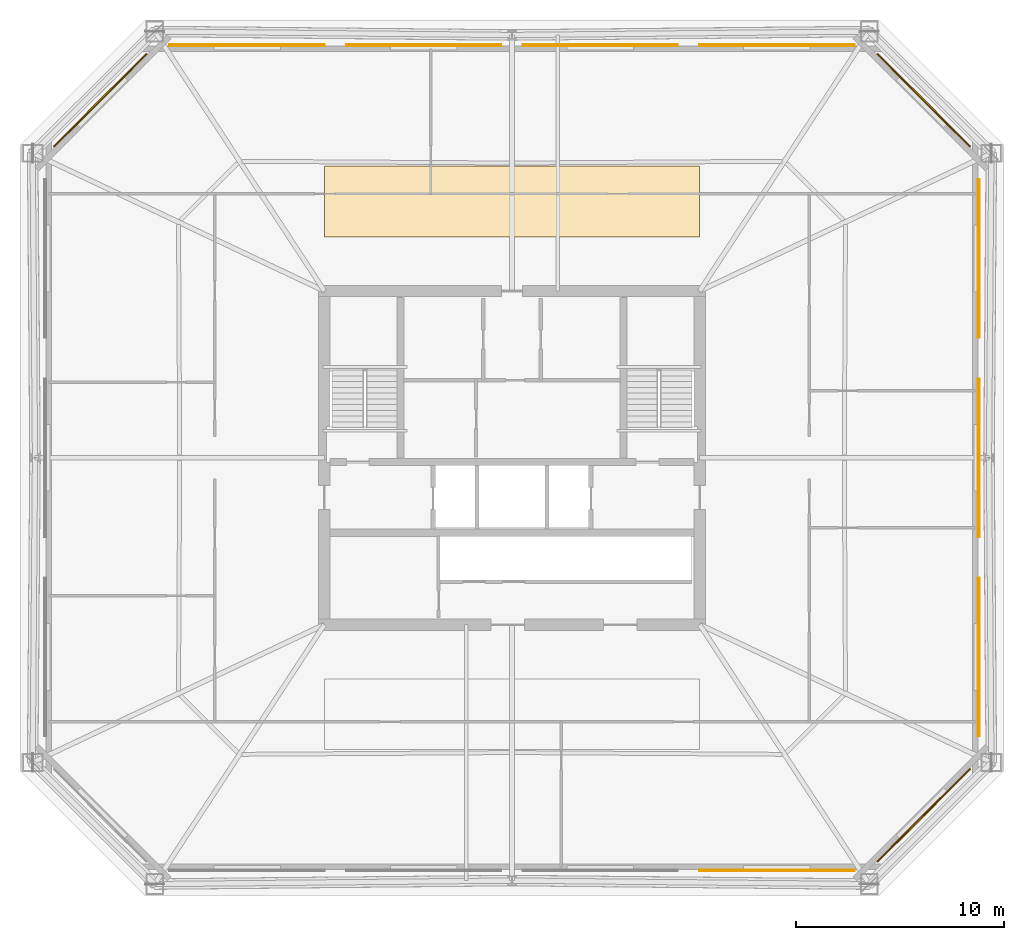
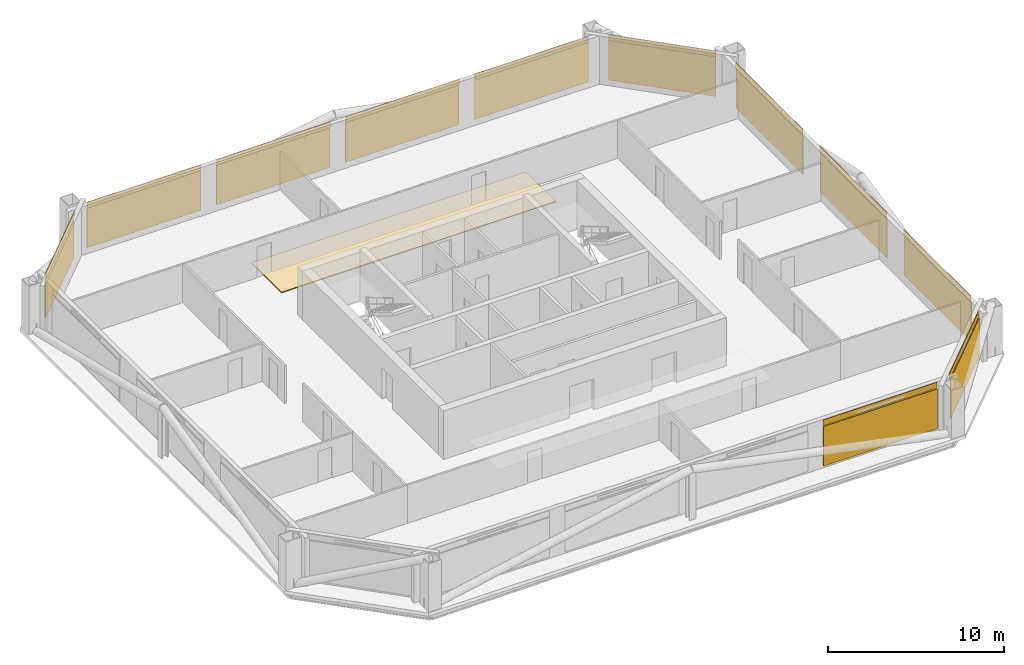
# One storey, part 6 of 6: 12 coverings, 11 shading devices.
"""IFC4 building model written with IfcOpenShell, lengths in metres."""

from ifc_helpers import new_model, si_unit, direction, frame, origin, origin_2d, place, context, subcontext, project, spatial, polyline, rectangle, outline, extrude, material, layer, layer_set, type_object, element, save


model = new_model("IFC4")

# Units and contexts
model_context = context("Model", 3, precision=1e-05, world=origin(), true_north=direction((0.0, 1.0)))
body_context = subcontext(model_context, "Body", "Model", "MODEL_VIEW")
ifc_project = project(units=[si_unit("LENGTHUNIT", "METRE"), si_unit("AREAUNIT", "SQUARE_METRE"), si_unit("VOLUMEUNIT", "CUBIC_METRE"), si_unit("PLANEANGLEUNIT", "RADIAN"), si_unit("MASSUNIT", "GRAM", prefix="KILO")], contexts=[model_context])

# Site, building, storey
site_placement = place(None, origin())
site = spatial("IfcSite", under=ifc_project, at=site_placement, CompositionType="ELEMENT")
building_placement = place(site_placement, origin())
building = spatial("IfcBuilding", under=site, at=building_placement, Name="Caelvoria Tower", CompositionType="ELEMENT")
storey_placement = place(building_placement, frame((0.0, 0.0, 116.800048828125)))
storey = spatial("IfcBuildingStorey", under=building, at=storey_placement, Name="L30", CompositionType="ELEMENT", Elevation=116.800048828125)

# Coverings
ifc_material_1 = material(Name="Perforated Architectural Bronze Cladding Screen", Category="bronze")
ifc_layer_1 = layer(ifc_material_1, 0.0400390625, Name="Perforated Architectural Bronze Cladding Screen")
ifc_layer_set_1 = layer_set([ifc_layer_1], Name="Perforated Bronze Louvre Cladding Band 40 - Perforated Architectural Bronze Cladding Screen")
covering_type_1 = type_object("IfcCoveringType", Name="Perforated Bronze Louvre Cladding Band 40", PredefinedType="CLADDING", material=ifc_layer_set_1)
covering_1_placement = place(storey_placement, frame((58.705078125, 12.22802734375, 2.93994140625), z_axis=(0.0, 0.0, 1.0), x_axis=(1.0, 0.0, 0.0)))
element("IfcCovering", 1, at=covering_1_placement, inside=storey, type_object=covering_type_1, Name="Perforated Bronze Screen Band L30-E0-03", PredefinedType="CLADDING", context=body_context, shape_type="SweptSolid", body=[
    extrude(rectangle(XDim=7.45361328125, YDim=0.0400390625, at=origin_2d()), origin(), (0.0, 0.0, 1.0), 0.39990234375),
])
covering_2_placement = place(storey_placement, frame((65.731689453125, 14.868408203125, 2.93994140625), z_axis=(0.0, 0.0, 1.0), x_axis=(0.707106781187, 0.707106781187, 0.0)))
element("IfcCovering", 2, at=covering_2_placement, inside=storey, type_object=covering_type_1, Name="Perforated Bronze Screen Band L30-E1-00", PredefinedType="CLADDING", context=body_context, shape_type="SweptSolid", body=[
    extrude(rectangle(XDim=6.305419921875, YDim=0.0400390625, at=origin_2d()), origin(), (0.0, 0.0, 1.0), 0.39990234375),
])
for number, where, z_axis, x_axis, name in (
    (3, (68.3720703125, 22.43994140625, 2.93994140625), (0.0, 0.0, 1.0), (0.0, 1.0, 0.0), "Perforated Bronze Screen Band L30-E2-00"),
    (4, (68.3720703125, 32.0, 2.93994140625), (0.0, 0.0, 1.0), (0.0, 1.0, 0.0), "Perforated Bronze Screen Band L30-E2-01"),
    (5, (68.3720703125, 41.56005859375, 2.93994140625), (0.0, 0.0, 1.0), (0.0, 1.0, 0.0), "Perforated Bronze Screen Band L30-E2-02"),
):
    element("IfcCovering", number, at=place(storey_placement, frame(where, z_axis=z_axis, x_axis=x_axis)), inside=storey, type_object=covering_type_1, Name=name, PredefinedType="CLADDING", context=body_context, shape_type="SweptSolid", body=[
        extrude(rectangle(XDim=7.60009765625, YDim=0.0400390625, at=origin_2d()), origin(), (0.0, 0.0, 1.0), 0.39990234375),
    ])
covering_3_placement = place(storey_placement, frame((65.731689453125, 49.131591796875, 2.93994140625), z_axis=(0.0, 0.0, 1.0), x_axis=(-0.707106781187, 0.707106781187, 0.0)))
element("IfcCovering", 6, at=covering_3_placement, inside=storey, type_object=covering_type_1, Name="Perforated Bronze Screen Band L30-E3-00", PredefinedType="CLADDING", context=body_context, shape_type="SweptSolid", body=[
    extrude(rectangle(XDim=6.305419921875, YDim=0.0400390625, at=origin_2d()), origin(), (0.0, 0.0, 1.0), 0.39990234375),
])
for number, where, z_axis, x_axis, name in (
    (7, (58.705078125, 51.77197265625, 2.93994140625), (0.0, 0.0, 1.0), (-1.0, 0.0, 0.0), "Perforated Bronze Screen Band L30-E4-00"),
    (8, (50.235107421875, 51.77197265625, 2.93994140625), (0.0, 0.0, 1.0), (-1.0, 0.0, 0.0), "Perforated Bronze Screen Band L30-E4-01"),
    (9, (41.764892578125, 51.77197265625, 2.93994140625), (0.0, 0.0, 1.0), (-1.0, 0.0, 0.0), "Perforated Bronze Screen Band L30-E4-02"),
    (10, (33.294921875, 51.77197265625, 2.93994140625), (0.0, 0.0, 1.0), (-1.0, 0.0, 0.0), "Perforated Bronze Screen Band L30-E4-03"),
):
    element("IfcCovering", number, at=place(storey_placement, frame(where, z_axis=z_axis, x_axis=x_axis)), inside=storey, type_object=covering_type_1, Name=name, PredefinedType="CLADDING", context=body_context, shape_type="SweptSolid", body=[
        extrude(rectangle(XDim=7.45361328125, YDim=0.0400390625, at=origin_2d()), origin(), (0.0, 0.0, 1.0), 0.39990234375),
    ])
covering_4_placement = place(storey_placement, frame((26.268310546875, 49.131591796875, 2.93994140625), z_axis=(0.0, 0.0, 1.0), x_axis=(-0.707106781187, -0.707106781187, 0.0)))
element("IfcCovering", 11, at=covering_4_placement, inside=storey, type_object=covering_type_1, Name="Perforated Bronze Screen Band L30-E5-00", PredefinedType="CLADDING", context=body_context, shape_type="SweptSolid", body=[
    extrude(rectangle(XDim=6.305419921875, YDim=0.0400390625, at=origin_2d()), origin(), (0.0, 0.0, 1.0), 0.39990234375),
])

# Shading devices
ifc_material_2 = material(Name="Perforated Architectural Bronze Alloy Panel", Category="bronze")
ifc_layer_2 = layer(ifc_material_2, 0.044921875, Name="Perforated Architectural Bronze Alloy Panel")
ifc_layer_set_2 = layer_set([ifc_layer_2], Name="Perforated Bronze Solar Screen Panel SCREEN - Perforated Architectural Bronze Alloy Panel")
shading_device_type = type_object("IfcShadingDeviceType", Name="Perforated Bronze Solar Screen Panel SCREEN", PredefinedType="USERDEFINED", material=ifc_layer_set_2)
shading_device_1_placement = place(storey_placement, frame((58.705078125, 12.18505859375, 0.159912109375), z_axis=(0.0, 0.0, 1.0), x_axis=(1.0, 0.0, 0.0)))
element("IfcShadingDevice", 12, at=shading_device_1_placement, inside=storey, type_object=shading_device_type, Name="Perforated Bronze Solar Screen L30-E0-03", ObjectType="SCREEN", PredefinedType="USERDEFINED", context=body_context, shape_type="SweptSolid", body=[
    extrude(rectangle(XDim=7.45361328125, YDim=0.044921875, at=origin_2d()), origin(), (0.0, 0.0, 1.0), 2.75),
])
shading_device_2_placement = place(storey_placement, frame((65.76220703125, 14.837890625, 0.159912109375), z_axis=(0.0, 0.0, 1.0), x_axis=(0.707106781187, 0.707106781187, 0.0)))
element("IfcShadingDevice", 13, at=shading_device_2_placement, inside=storey, type_object=shading_device_type, Name="Perforated Bronze Solar Screen L30-E1-00", ObjectType="SCREEN", PredefinedType="USERDEFINED", context=body_context, shape_type="SweptSolid", body=[
    extrude(rectangle(XDim=6.305419921875, YDim=0.044921875, at=origin_2d()), origin(), (0.0, 0.0, 1.0), 2.75),
])
for number, where, z_axis, x_axis, name in (
    (14, (68.4150390625, 22.43994140625, 0.159912109375), (0.0, 0.0, 1.0), (0.0, 1.0, 0.0), "Perforated Bronze Solar Screen L30-E2-00"),
    (15, (68.4150390625, 32.0, 0.159912109375), (0.0, 0.0, 1.0), (0.0, 1.0, 0.0), "Perforated Bronze Solar Screen L30-E2-01"),
    (16, (68.4150390625, 41.56005859375, 0.159912109375), (0.0, 0.0, 1.0), (0.0, 1.0, 0.0), "Perforated Bronze Solar Screen L30-E2-02"),
):
    element("IfcShadingDevice", number, at=place(storey_placement, frame(where, z_axis=z_axis, x_axis=x_axis)), inside=storey, type_object=shading_device_type, Name=name, ObjectType="SCREEN", PredefinedType="USERDEFINED", context=body_context, shape_type="SweptSolid", body=[
        extrude(rectangle(XDim=7.60009765625, YDim=0.044921875, at=origin_2d()), origin(), (0.0, 0.0, 1.0), 2.75),
    ])
shading_device_3_placement = place(storey_placement, frame((65.76220703125, 49.162109375, 0.159912109375), z_axis=(0.0, 0.0, 1.0), x_axis=(-0.707106781187, 0.707106781187, 0.0)))
element("IfcShadingDevice", 17, at=shading_device_3_placement, inside=storey, type_object=shading_device_type, Name="Perforated Bronze Solar Screen L30-E3-00", ObjectType="SCREEN", PredefinedType="USERDEFINED", context=body_context, shape_type="SweptSolid", body=[
    extrude(rectangle(XDim=6.305419921875, YDim=0.044921875, at=origin_2d()), origin(), (0.0, 0.0, 1.0), 2.75),
])
for number, where, z_axis, x_axis, name in (
    (18, (58.705078125, 51.81494140625, 0.159912109375), (0.0, 0.0, 1.0), (-1.0, 0.0, 0.0), "Perforated Bronze Solar Screen L30-E4-00"),
    (19, (50.235107421875, 51.81494140625, 0.159912109375), (0.0, 0.0, 1.0), (-1.0, 0.0, 0.0), "Perforated Bronze Solar Screen L30-E4-01"),
    (20, (41.764892578125, 51.81494140625, 0.159912109375), (0.0, 0.0, 1.0), (-1.0, 0.0, 0.0), "Perforated Bronze Solar Screen L30-E4-02"),
    (21, (33.294921875, 51.81494140625, 0.159912109375), (0.0, 0.0, 1.0), (-1.0, 0.0, 0.0), "Perforated Bronze Solar Screen L30-E4-03"),
):
    element("IfcShadingDevice", number, at=place(storey_placement, frame(where, z_axis=z_axis, x_axis=x_axis)), inside=storey, type_object=shading_device_type, Name=name, ObjectType="SCREEN", PredefinedType="USERDEFINED", context=body_context, shape_type="SweptSolid", body=[
        extrude(rectangle(XDim=7.45361328125, YDim=0.044921875, at=origin_2d()), origin(), (0.0, 0.0, 1.0), 2.75),
    ])
shading_device_4_placement = place(storey_placement, frame((26.23779296875, 49.162109375, 0.159912109375), z_axis=(0.0, 0.0, 1.0), x_axis=(-0.707106781187, -0.707106781187, 0.0)))
element("IfcShadingDevice", 22, at=shading_device_4_placement, inside=storey, type_object=shading_device_type, Name="Perforated Bronze Solar Screen L30-E5-00", ObjectType="SCREEN", PredefinedType="USERDEFINED", context=body_context, shape_type="SweptSolid", body=[
    extrude(rectangle(XDim=6.305419921875, YDim=0.044921875, at=origin_2d()), origin(), (0.0, 0.0, 1.0), 2.75),
])

# Covering
ifc_material_3 = material(Name="Calcium-Sulphate Raised Floor Tile", Category="gypsum")
ifc_layer_3 = layer(ifc_material_3, 0.06005859375, Name="Calcium-Sulphate Raised Floor Tile")
ifc_layer_set_3 = layer_set([ifc_layer_3], Name="Raised Access Office Floor System 120 - Calcium-Sulphate Raised Floor Tile")
covering_type_2 = type_object("IfcCoveringType", Name="Raised Access Office Floor System 120", PredefinedType="FLOORING", material=ifc_layer_set_3)
covering_5_placement = place(storey_placement, origin())
element("IfcCovering", 23, at=covering_5_placement, inside=storey, type_object=covering_type_2, Name="Raised Access Flooring L30", PredefinedType="FLOORING", context=body_context, shape_type="SweptSolid", body=[
    extrude(outline(polyline([(37.0, 42.60009765625), (55.0, 42.60009765625), (55.0, 46.0), (37.0, 46.0), (37.0, 42.60009765625)])), origin(), (0.0, 0.0, 1.0), 0.06005859375),
])

save(model, "model.ifc")
